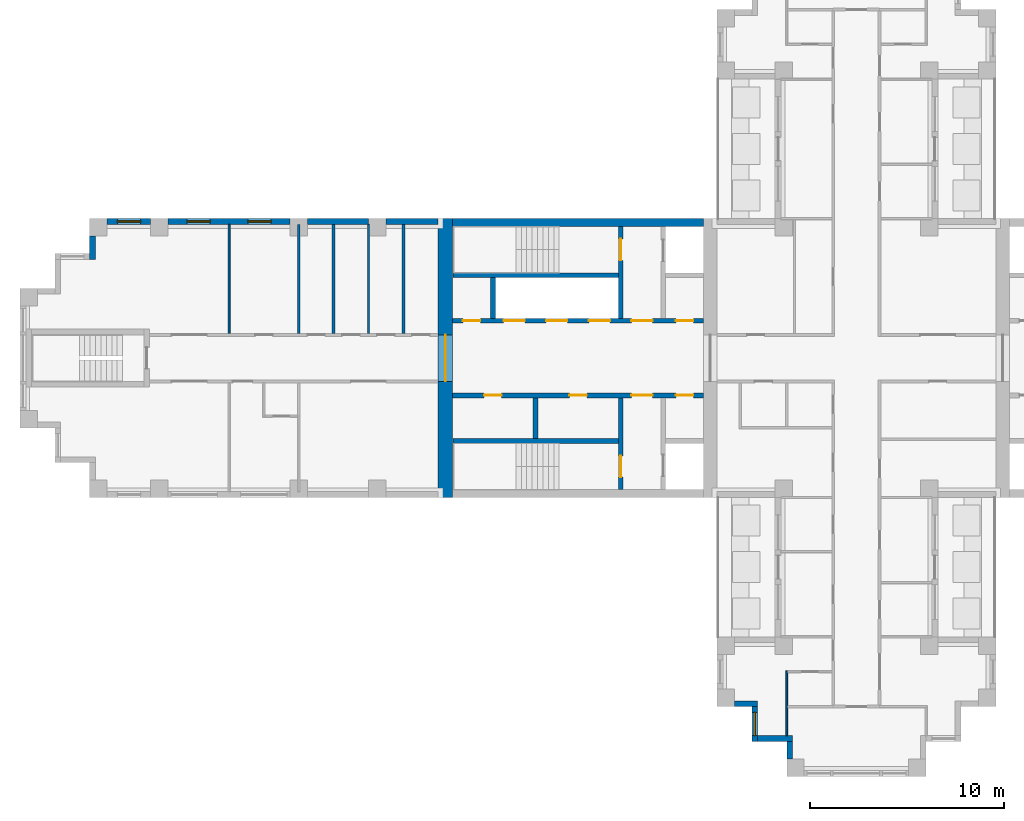
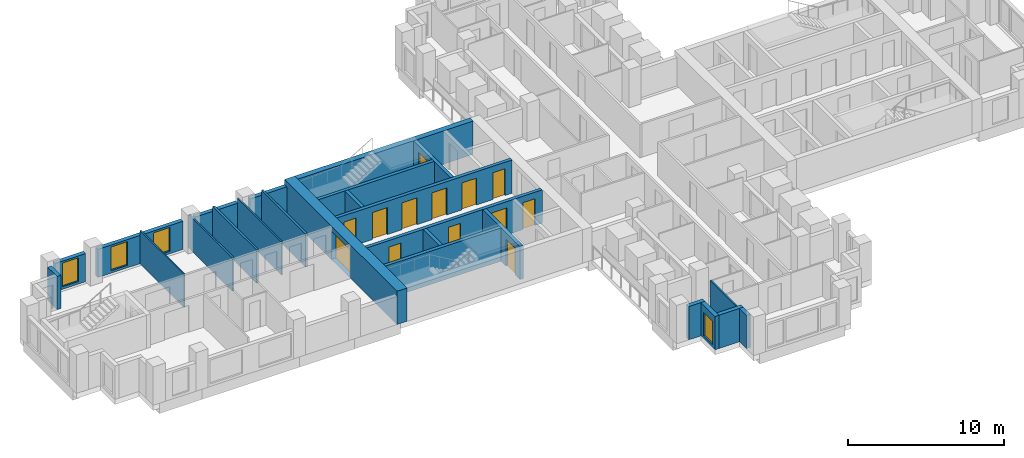
# One storey, part 3 of 11: 25 walls, 13 doors, 4 windows, 17 openings.
"""IFC4 building model written with IfcOpenShell, lengths in metres."""

from ifc_helpers import new_model, si_unit, direction, frame, frame_2d, origin, place, context, subcontext, project, spatial, rectangle, extrude, material, layer, layer_set, type_object, element, fill, save


model = new_model("IFC4")

# Units and contexts
model_context = context("Model", 3, precision=1e-05, world=origin(), true_north=direction((0.0, 1.0)))
body_context = subcontext(model_context, "Body", "Model", "MODEL_VIEW")
ifc_project = project(units=[si_unit("LENGTHUNIT", "METRE"), si_unit("AREAUNIT", "SQUARE_METRE"), si_unit("VOLUMEUNIT", "CUBIC_METRE"), si_unit("PLANEANGLEUNIT", "RADIAN"), si_unit("MASSUNIT", "GRAM", prefix="KILO")], contexts=[model_context])

# Site, building, storey
site_placement = place(None, origin())
site = spatial("IfcSite", under=ifc_project, at=site_placement, CompositionType="ELEMENT")
building_placement = place(site_placement, origin())
building = spatial("IfcBuilding", under=site, at=building_placement, Name="Fustian Cross Tower", CompositionType="ELEMENT")
storey_placement = place(building_placement, frame((0.0, 0.0, 173.699951171875)))
storey = spatial("IfcBuildingStorey", under=building, at=storey_placement, Name="L54", CompositionType="ELEMENT", Elevation=173.699951171875)

# Walls
ifc_material_1 = material(Name="Plasterboard on steel stud", Category="steel")
ifc_layer_1 = layer(ifc_material_1, 0.14990234375)
ifc_layer_set_1 = layer_set([ifc_layer_1], Name="Plasterboard on steel stud")
wall_type_1 = type_object("IfcWallType", Name="COMPARTMENT WALL 150 EI 60", PredefinedType="PARTITIONING", material=ifc_layer_set_1)
for number, where, z_axis, x_axis, name in (
    (1, (-27.0, 1.27490234375, 0.0), (0.0, 0.0, 1.0), (0.0, 1.0, 0.0), "Partition 10"),
    (2, (-23.39990234375, 1.27490234375, 0.0), (0.0, 0.0, 1.0), (0.0, 1.0, 0.0), "Partition 12"),
):
    element("IfcWall", number, at=place(storey_placement, frame(where, z_axis=z_axis, x_axis=x_axis)), inside=storey, type_object=wall_type_1, Name=name, PredefinedType="PARTITIONING", context=body_context, shape_type="SweptSolid", body=[
        extrude(rectangle(XDim=5.625, YDim=0.14990234375, at=frame_2d((2.8125, 0.0))), origin(), (0.0, 0.0, 1.0), 2.60009765625),
    ])

# Wall, opening, door
ifc_material_2 = material(Name="Concrete C50/60", Category="concrete")
ifc_layer_2 = layer(ifc_material_2, 0.75)
ifc_layer_set_2 = layer_set([ifc_layer_2], Name="Concrete C50/60")
wall_type_2 = type_object("IfcWallType", Name="CORE END WALL 750 C50/60", PredefinedType="SHEAR", material=ifc_layer_set_2)
wall_1_placement = place(storey_placement, frame((-21.22509765625, -7.199951171875, 0.0), z_axis=(0.0, 0.0, 1.0), x_axis=(0.0, 1.0, 0.0)))
wall_1 = element("IfcWall", 3, at=wall_1_placement, inside=storey, type_object=wall_type_2, Name="Core end wall", PredefinedType="SHEAR", context=body_context, shape_type="SweptSolid", body=[
    extrude(rectangle(XDim=14.39990234375, YDim=0.75, at=frame_2d((7.199951171875, 0.0))), origin(), (0.0, 0.0, 1.0), 2.60009765625),
])
opening_1_placement = place(wall_1_placement, frame((6.0, 0.0, 0.0)))
opening_1 = element("IfcOpeningElement", 4, at=opening_1_placement, cuts=wall_1, Name="Opening CD-22-29", PredefinedType="OPENING", context=body_context, shape_type="SweptSolid", body=[
    extrude(rectangle(XDim=2.39990234375, YDim=2.199951171875, at=frame_2d((1.199951171875, 1.10009765625))), frame((0.0, 0.385009765625, 0.0), z_axis=(0.0, -1.0, 0.0), x_axis=(1.0, 0.0, 0.0)), (0.0, 0.0, 1.0), 0.77001953125),
])
ifc_material_3 = material(Name="Steel", Category="steel")
door_type_1 = type_object("IfcDoorType", Name="FIRE DOOR FD30S DOUBLE 2400X2200", OperationType="DOUBLE_DOOR_DOUBLE_SWING", PredefinedType="DOOR", material=ifc_material_3)
door_1_placement = place(opening_1_placement, frame((2.39990234375, 0.0, 0.0), z_axis=(0.0, 0.0, 1.0), x_axis=(-1.0, 0.0, 0.0)))
door_1 = element("IfcDoor", 5, at=door_1_placement, inside=storey, type_object=door_type_1, Name="Core door CD-22-29", OperationType="DOUBLE_DOOR_DOUBLE_SWING", OverallHeight=2.199951171875, OverallWidth=2.39990234375, PredefinedType="DOOR", context=body_context, shape_type="SweptSolid", body=[
    extrude(rectangle(XDim=2.39990234375, YDim=2.199951171875, at=frame_2d((1.199951171875, 1.10009765625))), frame((0.0, 0.02490234375, 0.0), z_axis=(0.0, -1.0, 0.0), x_axis=(1.0, 0.0, 0.0)), (0.0, 0.0, 1.0), 0.050048828125),
])
fill(opening_1, door_1)

# Wall
ifc_material_4 = material(Name="Concrete C50/60", Category="concrete")
ifc_layer_3 = layer(ifc_material_4, 0.39990234375)
ifc_layer_set_3 = layer_set([ifc_layer_3], Name="Concrete C50/60")
wall_type_3 = type_object("IfcWallType", Name="CORE FACADE WALL 400 C50/60", PredefinedType="SHEAR", material=ifc_layer_set_3)
wall_2_placement = place(storey_placement, frame((-7.89990234375, 7.0, 0.0), z_axis=(0.0, 0.0, 1.0), x_axis=(-1.0, 0.0, 0.0)))
element("IfcWall", 6, at=wall_2_placement, inside=storey, type_object=wall_type_3, Name="Core facade wall", PredefinedType="SHEAR", context=body_context, shape_type="SweptSolid", body=[
    extrude(rectangle(XDim=12.9501953125, YDim=0.39990234375, at=frame_2d((6.47509765625, 0.0))), origin(), (0.0, 0.0, 1.0), 2.60009765625),
])

# Wall, openings, doors
ifc_material_5 = material(Name="Concrete C50/60", Category="concrete")
ifc_layer_4 = layer(ifc_material_5, 0.25)
ifc_layer_set_4 = layer_set([ifc_layer_4], Name="Concrete C50/60")
wall_type_4 = type_object("IfcWallType", Name="CORE LOBBY WALL 250 C50/60", PredefinedType="SHEAR", material=ifc_layer_set_4)
wall_3_placement = place(storey_placement, frame((-7.89990234375, 1.925048828125, 0.0), z_axis=(0.0, 0.0, 1.0), x_axis=(-1.0, 0.0, 0.0)))
wall_3 = element("IfcWall", 7, at=wall_3_placement, inside=storey, type_object=wall_type_4, Name="Core lobby wall", PredefinedType="SHEAR", context=body_context, shape_type="SweptSolid", body=[
    extrude(rectangle(XDim=12.9501953125, YDim=0.25, at=frame_2d((6.47509765625, 0.0))), origin(), (0.0, 0.0, 1.0), 2.60009765625),
])
opening_2_placement = place(wall_3_placement, frame((4.824951171875, 0.0, 0.0)))
opening_2 = element("IfcOpeningElement", 8, at=opening_2_placement, cuts=wall_3, Name="Opening LD", PredefinedType="OPENING", context=body_context, shape_type="SweptSolid", body=[
    extrude(rectangle(XDim=1.10009765625, YDim=2.10009765625, at=frame_2d((0.550048828125, 1.050048828125))), frame((0.0, 0.135009765625, 0.0), z_axis=(0.0, -1.0, 0.0), x_axis=(1.0, 0.0, 0.0)), (0.0, 0.0, 1.0), 0.27001953125),
])
opening_3_placement = place(wall_3_placement, frame((7.02490234375, 0.0, 0.0)))
opening_3 = element("IfcOpeningElement", 9, at=opening_3_placement, cuts=wall_3, Name="Opening LD", PredefinedType="OPENING", context=body_context, shape_type="SweptSolid", body=[
    extrude(rectangle(XDim=1.10009765625, YDim=2.10009765625, at=frame_2d((0.550048828125, 1.050048828125))), frame((0.0, 0.135009765625, 0.0), z_axis=(0.0, -1.0, 0.0), x_axis=(1.0, 0.0, 0.0)), (0.0, 0.0, 1.0), 0.27001953125),
])
opening_4_placement = place(wall_3_placement, frame((9.22509765625, 0.0, 0.0)))
opening_4 = element("IfcOpeningElement", 10, at=opening_4_placement, cuts=wall_3, Name="Opening LD", PredefinedType="OPENING", context=body_context, shape_type="SweptSolid", body=[
    extrude(rectangle(XDim=1.10009765625, YDim=2.10009765625, at=frame_2d((0.550048828125, 1.050048828125))), frame((0.0, 0.135009765625, 0.0), z_axis=(0.0, -1.0, 0.0), x_axis=(1.0, 0.0, 0.0)), (0.0, 0.0, 1.0), 0.27001953125),
])
opening_5_placement = place(wall_3_placement, frame((0.52490234375, 0.0, 0.0)))
opening_5 = element("IfcOpeningElement", 11, at=opening_5_placement, cuts=wall_3, Name="Opening CD-22-24", PredefinedType="OPENING", context=body_context, shape_type="SweptSolid", body=[
    extrude(rectangle(XDim=0.89990234375, YDim=2.10009765625, at=frame_2d((0.449951171875, 1.050048828125))), frame((0.0, 0.135009765625, 0.0), z_axis=(0.0, -1.0, 0.0), x_axis=(1.0, 0.0, 0.0)), (0.0, 0.0, 1.0), 0.27001953125),
])
opening_6_placement = place(wall_3_placement, frame((2.625, 0.0, 0.0)))
opening_6 = element("IfcOpeningElement", 12, at=opening_6_placement, cuts=wall_3, Name="Opening CD-22-26", PredefinedType="OPENING", context=body_context, shape_type="SweptSolid", body=[
    extrude(rectangle(XDim=1.10009765625, YDim=2.10009765625, at=frame_2d((0.550048828125, 1.050048828125))), frame((0.0, 0.135009765625, 0.0), z_axis=(0.0, -1.0, 0.0), x_axis=(1.0, 0.0, 0.0)), (0.0, 0.0, 1.0), 0.27001953125),
])
opening_7_placement = place(wall_3_placement, frame((11.52490234375, 0.0, 0.0)))
opening_7 = element("IfcOpeningElement", 13, at=opening_7_placement, cuts=wall_3, Name="Opening CD-22-30", PredefinedType="OPENING", context=body_context, shape_type="SweptSolid", body=[
    extrude(rectangle(XDim=0.89990234375, YDim=2.10009765625, at=frame_2d((0.449951171875, 1.050048828125))), frame((0.0, 0.135009765625, 0.0), z_axis=(0.0, -1.0, 0.0), x_axis=(1.0, 0.0, 0.0)), (0.0, 0.0, 1.0), 0.27001953125),
])
ifc_material_6 = material(Name="Steel", Category="steel")
door_type_2 = type_object("IfcDoorType", Name="FIRE DOOR FD30S 900X2100", OperationType="SINGLE_SWING_LEFT", PredefinedType="DOOR", material=ifc_material_6)
door_2_placement = place(opening_7_placement, frame((0.89990234375, 0.0, 0.0), z_axis=(0.0, 0.0, 1.0), x_axis=(-1.0, 0.0, 0.0)))
door_2 = element("IfcDoor", 14, at=door_2_placement, inside=storey, type_object=door_type_2, Name="Core door CD-22-30", OperationType="SINGLE_SWING_RIGHT", OverallHeight=2.10009765625, OverallWidth=0.89990234375, PredefinedType="DOOR", context=body_context, shape_type="SweptSolid", body=[
    extrude(rectangle(XDim=0.89990234375, YDim=2.10009765625, at=frame_2d((0.449951171875, 1.050048828125))), frame((0.0, 0.02490234375, 0.0), z_axis=(0.0, -1.0, 0.0), x_axis=(1.0, 0.0, 0.0)), (0.0, 0.0, 1.0), 0.050048828125),
])
fill(opening_7, door_2)
ifc_material_7 = material(Name="Steel", Category="steel")
door_type_3 = type_object("IfcDoorType", Name="FIRE DOOR FD60S 1100X2100", OperationType="SINGLE_SWING_LEFT", PredefinedType="DOOR", material=ifc_material_7)
door_3_placement = place(opening_6_placement, frame((1.10009765625, 0.0, 0.0), z_axis=(0.0, 0.0, 1.0), x_axis=(-1.0, 0.0, 0.0)))
door_3 = element("IfcDoor", 15, at=door_3_placement, inside=storey, type_object=door_type_3, Name="Core door CD-22-26", OperationType="SINGLE_SWING_RIGHT", OverallHeight=2.10009765625, OverallWidth=1.10009765625, PredefinedType="DOOR", context=body_context, shape_type="SweptSolid", body=[
    extrude(rectangle(XDim=1.10009765625, YDim=2.10009765625, at=frame_2d((0.550048828125, 1.050048828125))), frame((0.0, 0.02490234375, 0.0), z_axis=(0.0, -1.0, 0.0), x_axis=(1.0, 0.0, 0.0)), (0.0, 0.0, 1.0), 0.050048828125),
])
fill(opening_6, door_3)
ifc_material_8 = material(Name="Steel", Category="steel")
door_type_4 = type_object("IfcDoorType", Name="FIRE DOOR FD60S 900X2100", OperationType="SINGLE_SWING_LEFT", PredefinedType="DOOR", material=ifc_material_8)
door_4_placement = place(opening_5_placement, frame((0.89990234375, 0.0, 0.0), z_axis=(0.0, 0.0, 1.0), x_axis=(-1.0, 0.0, 0.0)))
door_4 = element("IfcDoor", 16, at=door_4_placement, inside=storey, type_object=door_type_4, Name="Core door CD-22-24", OperationType="SINGLE_SWING_RIGHT", OverallHeight=2.10009765625, OverallWidth=0.89990234375, PredefinedType="DOOR", context=body_context, shape_type="SweptSolid", body=[
    extrude(rectangle(XDim=0.89990234375, YDim=2.10009765625, at=frame_2d((0.449951171875, 1.050048828125))), frame((0.0, 0.02490234375, 0.0), z_axis=(0.0, -1.0, 0.0), x_axis=(1.0, 0.0, 0.0)), (0.0, 0.0, 1.0), 0.050048828125),
])
fill(opening_5, door_4)
ifc_material_9 = material(Name="Stainless steel", Category="steel")
door_type_5 = type_object("IfcDoorType", Name="LIFT LANDING DOOR 1100X2100", OperationType="SLIDING_TO_LEFT", PredefinedType="DOOR", material=ifc_material_9)
door_5_placement = place(opening_2_placement, origin())
door_5 = element("IfcDoor", 17, at=door_5_placement, inside=storey, type_object=door_type_5, Name="Landing door HR1W", OperationType="SLIDING_TO_LEFT", OverallHeight=2.10009765625, OverallWidth=1.10009765625, PredefinedType="DOOR", context=body_context, shape_type="SweptSolid", body=[
    extrude(rectangle(XDim=1.10009765625, YDim=2.10009765625, at=frame_2d((0.550048828125, 1.050048828125))), frame((0.0, 0.02490234375, 0.0), z_axis=(0.0, -1.0, 0.0), x_axis=(1.0, 0.0, 0.0)), (0.0, 0.0, 1.0), 0.050048828125),
])
fill(opening_2, door_5)
door_6_placement = place(opening_3_placement, origin())
door_6 = element("IfcDoor", 18, at=door_6_placement, inside=storey, type_object=door_type_5, Name="Landing door HR2W", OperationType="SLIDING_TO_LEFT", OverallHeight=2.10009765625, OverallWidth=1.10009765625, PredefinedType="DOOR", context=body_context, shape_type="SweptSolid", body=[
    extrude(rectangle(XDim=1.10009765625, YDim=2.10009765625, at=frame_2d((0.550048828125, 1.050048828125))), frame((0.0, 0.02490234375, 0.0), z_axis=(0.0, -1.0, 0.0), x_axis=(1.0, 0.0, 0.0)), (0.0, 0.0, 1.0), 0.050048828125),
])
fill(opening_3, door_6)
door_7_placement = place(opening_4_placement, origin())
door_7 = element("IfcDoor", 19, at=door_7_placement, inside=storey, type_object=door_type_5, Name="Landing door HR3W", OperationType="SLIDING_TO_LEFT", OverallHeight=2.10009765625, OverallWidth=1.10009765625, PredefinedType="DOOR", context=body_context, shape_type="SweptSolid", body=[
    extrude(rectangle(XDim=1.10009765625, YDim=2.10009765625, at=frame_2d((0.550048828125, 1.050048828125))), frame((0.0, 0.02490234375, 0.0), z_axis=(0.0, -1.0, 0.0), x_axis=(1.0, 0.0, 0.0)), (0.0, 0.0, 1.0), 0.050048828125),
])
fill(opening_4, door_7)

wall_4_placement = place(storey_placement, frame((-7.89990234375, -1.925048828125, 0.0), z_axis=(0.0, 0.0, 1.0), x_axis=(-1.0, 0.0, 0.0)))
wall_4 = element("IfcWall", 20, at=wall_4_placement, inside=storey, type_object=wall_type_4, Name="Core lobby wall", PredefinedType="SHEAR", context=body_context, shape_type="SweptSolid", body=[
    extrude(rectangle(XDim=12.9501953125, YDim=0.25, at=frame_2d((6.47509765625, 0.0))), origin(), (0.0, 0.0, 1.0), 2.60009765625),
])
opening_8_placement = place(wall_4_placement, frame((0.52490234375, 0.0, 0.0)))
opening_8 = element("IfcOpeningElement", 21, at=opening_8_placement, cuts=wall_4, Name="Opening CD-22-25", PredefinedType="OPENING", context=body_context, shape_type="SweptSolid", body=[
    extrude(rectangle(XDim=0.89990234375, YDim=2.10009765625, at=frame_2d((0.449951171875, 1.050048828125))), frame((0.0, 0.135009765625, 0.0), z_axis=(0.0, -1.0, 0.0), x_axis=(1.0, 0.0, 0.0)), (0.0, 0.0, 1.0), 0.27001953125),
])
opening_9_placement = place(wall_4_placement, frame((2.625, 0.0, 0.0)))
opening_9 = element("IfcOpeningElement", 22, at=opening_9_placement, cuts=wall_4, Name="Opening CD-22-27", PredefinedType="OPENING", context=body_context, shape_type="SweptSolid", body=[
    extrude(rectangle(XDim=1.10009765625, YDim=2.10009765625, at=frame_2d((0.550048828125, 1.050048828125))), frame((0.0, 0.135009765625, 0.0), z_axis=(0.0, -1.0, 0.0), x_axis=(1.0, 0.0, 0.0)), (0.0, 0.0, 1.0), 0.27001953125),
])
opening_10_placement = place(wall_4_placement, frame((6.02490234375, 0.0, 0.0)))
opening_10 = element("IfcOpeningElement", 23, at=opening_10_placement, cuts=wall_4, Name="Opening CD-22-31", PredefinedType="OPENING", context=body_context, shape_type="SweptSolid", body=[
    extrude(rectangle(XDim=0.89990234375, YDim=2.10009765625, at=frame_2d((0.449951171875, 1.050048828125))), frame((0.0, 0.135009765625, 0.0), z_axis=(0.0, -1.0, 0.0), x_axis=(1.0, 0.0, 0.0)), (0.0, 0.0, 1.0), 0.27001953125),
])
opening_11_placement = place(wall_4_placement, frame((10.425048828125, 0.0, 0.0)))
opening_11 = element("IfcOpeningElement", 24, at=opening_11_placement, cuts=wall_4, Name="Opening CD-22-32", PredefinedType="OPENING", context=body_context, shape_type="SweptSolid", body=[
    extrude(rectangle(XDim=0.89990234375, YDim=2.10009765625, at=frame_2d((0.449951171875, 1.050048828125))), frame((0.0, 0.135009765625, 0.0), z_axis=(0.0, -1.0, 0.0), x_axis=(1.0, 0.0, 0.0)), (0.0, 0.0, 1.0), 0.27001953125),
])
ifc_material_10 = material(Name="Steel", Category="steel")
door_type_6 = type_object("IfcDoorType", Name="FIRE DOOR FD30S 1100X2100", OperationType="SINGLE_SWING_LEFT", PredefinedType="DOOR", material=ifc_material_10)
door_8_placement = place(opening_9_placement, frame((1.10009765625, 0.0, 0.0), z_axis=(0.0, 0.0, 1.0), x_axis=(-1.0, 0.0, 0.0)))
door_8 = element("IfcDoor", 25, at=door_8_placement, inside=storey, type_object=door_type_6, Name="Core door CD-22-27", OperationType="SINGLE_SWING_RIGHT", OverallHeight=2.10009765625, OverallWidth=1.10009765625, PredefinedType="DOOR", context=body_context, shape_type="SweptSolid", body=[
    extrude(rectangle(XDim=1.10009765625, YDim=2.10009765625, at=frame_2d((0.550048828125, 1.050048828125))), frame((0.0, 0.02490234375, 0.0), z_axis=(0.0, -1.0, 0.0), x_axis=(1.0, 0.0, 0.0)), (0.0, 0.0, 1.0), 0.050048828125),
])
fill(opening_9, door_8)
door_9_placement = place(opening_8_placement, origin())
door_9 = element("IfcDoor", 26, at=door_9_placement, inside=storey, type_object=door_type_2, Name="Core door CD-22-25", OperationType="SINGLE_SWING_LEFT", OverallHeight=2.10009765625, OverallWidth=0.89990234375, PredefinedType="DOOR", context=body_context, shape_type="SweptSolid", body=[
    extrude(rectangle(XDim=0.89990234375, YDim=2.10009765625, at=frame_2d((0.449951171875, 1.050048828125))), frame((0.0, 0.02490234375, 0.0), z_axis=(0.0, -1.0, 0.0), x_axis=(1.0, 0.0, 0.0)), (0.0, 0.0, 1.0), 0.050048828125),
])
fill(opening_8, door_9)
door_10_placement = place(opening_10_placement, origin())
door_10 = element("IfcDoor", 27, at=door_10_placement, inside=storey, type_object=door_type_2, Name="Core door CD-22-31", OperationType="SINGLE_SWING_RIGHT", OverallHeight=2.10009765625, OverallWidth=0.89990234375, PredefinedType="DOOR", context=body_context, shape_type="SweptSolid", body=[
    extrude(rectangle(XDim=0.89990234375, YDim=2.10009765625, at=frame_2d((0.449951171875, 1.050048828125))), frame((0.0, 0.02490234375, 0.0), z_axis=(0.0, -1.0, 0.0), x_axis=(1.0, 0.0, 0.0)), (0.0, 0.0, 1.0), 0.050048828125),
])
fill(opening_10, door_10)
door_11_placement = place(opening_11_placement, origin())
door_11 = element("IfcDoor", 28, at=door_11_placement, inside=storey, type_object=door_type_2, Name="Core door CD-22-32", OperationType="SINGLE_SWING_RIGHT", OverallHeight=2.10009765625, OverallWidth=0.89990234375, PredefinedType="DOOR", context=body_context, shape_type="SweptSolid", body=[
    extrude(rectangle(XDim=0.89990234375, YDim=2.10009765625, at=frame_2d((0.449951171875, 1.050048828125))), frame((0.0, 0.02490234375, 0.0), z_axis=(0.0, -1.0, 0.0), x_axis=(1.0, 0.0, 0.0)), (0.0, 0.0, 1.0), 0.050048828125),
])
fill(opening_11, door_11)

# Wall
ifc_material_11 = material(Name="Concrete C50/60", Category="concrete")
ifc_layer_5 = layer(ifc_material_11, 0.25)
ifc_layer_set_5 = layer_set([ifc_layer_5], Name="Concrete C50/60")
wall_type_5 = type_object("IfcWallType", Name="CORE SHAFT WALL 250 C50/60", PredefinedType="SHEAR", material=ifc_layer_set_5)
wall_5_placement = place(storey_placement, frame((-12.300048828125, 4.27490234375, 0.0), z_axis=(0.0, 0.0, 1.0), x_axis=(-1.0, 0.0, 0.0)))
element("IfcWall", 29, at=wall_5_placement, inside=storey, type_object=wall_type_5, Name="Core shaft wall", PredefinedType="SHEAR", context=body_context, shape_type="SweptSolid", body=[
    extrude(rectangle(XDim=8.550048828125, YDim=0.25, at=frame_2d((4.27490234375, 0.0))), origin(), (0.0, 0.0, 1.0), 2.60009765625),
])

# Wall, opening, door
wall_6_placement = place(storey_placement, frame((-12.175048828125, 2.050048828125, 0.0), z_axis=(0.0, 0.0, 1.0), x_axis=(0.0, 1.0, 0.0)))
wall_6 = element("IfcWall", 30, at=wall_6_placement, inside=storey, type_object=wall_type_5, Name="Core shaft wall", PredefinedType="SHEAR", context=body_context, shape_type="SweptSolid", body=[
    extrude(rectangle(XDim=4.75, YDim=0.25, at=frame_2d((2.375, 0.0))), origin(), (0.0, 0.0, 1.0), 2.60009765625),
])
opening_12_placement = place(wall_6_placement, frame((3.0, 0.0, 0.0)))
opening_12 = element("IfcOpeningElement", 31, at=opening_12_placement, cuts=wall_6, Name="Opening CD-22-22", PredefinedType="OPENING", context=body_context, shape_type="SweptSolid", body=[
    extrude(rectangle(XDim=1.10009765625, YDim=2.10009765625, at=frame_2d((0.550048828125, 1.050048828125))), frame((0.0, 0.135009765625, 0.0), z_axis=(0.0, -1.0, 0.0), x_axis=(1.0, 0.0, 0.0)), (0.0, 0.0, 1.0), 0.27001953125),
])
door_12_placement = place(opening_12_placement, origin())
door_12 = element("IfcDoor", 32, at=door_12_placement, inside=storey, type_object=door_type_3, Name="Core door CD-22-22", OperationType="SINGLE_SWING_LEFT", OverallHeight=2.10009765625, OverallWidth=1.10009765625, PredefinedType="DOOR", context=body_context, shape_type="SweptSolid", body=[
    extrude(rectangle(XDim=1.10009765625, YDim=2.10009765625, at=frame_2d((0.550048828125, 1.050048828125))), frame((0.0, 0.02490234375, 0.0), z_axis=(0.0, -1.0, 0.0), x_axis=(1.0, 0.0, 0.0)), (0.0, 0.0, 1.0), 0.050048828125),
])
fill(opening_12, door_12)

# Wall
wall_7_placement = place(storey_placement, frame((-12.300048828125, -4.27490234375, 0.0), z_axis=(0.0, 0.0, 1.0), x_axis=(-1.0, 0.0, 0.0)))
element("IfcWall", 33, at=wall_7_placement, inside=storey, type_object=wall_type_5, Name="Core shaft wall", PredefinedType="SHEAR", context=body_context, shape_type="SweptSolid", body=[
    extrude(rectangle(XDim=8.550048828125, YDim=0.25, at=frame_2d((4.27490234375, 0.0))), origin(), (0.0, 0.0, 1.0), 2.60009765625),
])

# Wall, opening, door
wall_8_placement = place(storey_placement, frame((-12.175048828125, -2.050048828125, 0.0), z_axis=(0.0, 0.0, 1.0), x_axis=(0.0, -1.0, 0.0)))
wall_8 = element("IfcWall", 34, at=wall_8_placement, inside=storey, type_object=wall_type_5, Name="Core shaft wall", PredefinedType="SHEAR", context=body_context, shape_type="SweptSolid", body=[
    extrude(rectangle(XDim=4.75, YDim=0.25, at=frame_2d((2.375, 0.0))), origin(), (0.0, 0.0, 1.0), 2.60009765625),
])
opening_13_placement = place(wall_8_placement, frame((3.0, 0.0, 0.0)))
opening_13 = element("IfcOpeningElement", 35, at=opening_13_placement, cuts=wall_8, Name="Opening CD-22-23", PredefinedType="OPENING", context=body_context, shape_type="SweptSolid", body=[
    extrude(rectangle(XDim=1.10009765625, YDim=2.10009765625, at=frame_2d((0.550048828125, 1.050048828125))), frame((0.0, 0.135009765625, 0.0), z_axis=(0.0, -1.0, 0.0), x_axis=(1.0, 0.0, 0.0)), (0.0, 0.0, 1.0), 0.27001953125),
])
door_13_placement = place(opening_13_placement, frame((1.10009765625, 0.0, 0.0), z_axis=(0.0, 0.0, 1.0), x_axis=(-1.0, 0.0, 0.0)))
door_13 = element("IfcDoor", 36, at=door_13_placement, inside=storey, type_object=door_type_3, Name="Core door CD-22-23", OperationType="SINGLE_SWING_RIGHT", OverallHeight=2.10009765625, OverallWidth=1.10009765625, PredefinedType="DOOR", context=body_context, shape_type="SweptSolid", body=[
    extrude(rectangle(XDim=1.10009765625, YDim=2.10009765625, at=frame_2d((0.550048828125, 1.050048828125))), frame((0.0, 0.02490234375, 0.0), z_axis=(0.0, -1.0, 0.0), x_axis=(1.0, 0.0, 0.0)), (0.0, 0.0, 1.0), 0.050048828125),
])
fill(opening_13, door_13)

# Walls
ifc_material_12 = material(Name="Plasterboard on steel stud", Category="steel")
ifc_layer_6 = layer(ifc_material_12, 0.10009765625)
ifc_layer_set_6 = layer_set([ifc_layer_6], Name="Plasterboard on steel stud")
wall_type_6 = type_object("IfcWallType", Name="PARTITION 100 STUD", PredefinedType="PARTITIONING", material=ifc_layer_set_6)
for number, where, z_axis, x_axis, name in (
    (37, (-32.39990234375, 1.27490234375, 0.0), (0.0, 0.0, 1.0), (0.0, 1.0, 0.0), "Partition 4"),
    (38, (-25.199951171875, 1.27490234375, 0.0), (0.0, 0.0, 1.0), (0.0, 1.0, 0.0), "Partition 11"),
):
    element("IfcWall", number, at=place(storey_placement, frame(where, z_axis=z_axis, x_axis=x_axis)), inside=storey, type_object=wall_type_6, Name=name, PredefinedType="PARTITIONING", context=body_context, shape_type="SweptSolid", body=[
        extrude(rectangle(XDim=5.625, YDim=0.10009765625, at=frame_2d((2.8125, 0.0))), origin(), (0.0, 0.0, 1.0), 2.60009765625),
    ])
wall_9_placement = place(storey_placement, frame((-3.60009765625, -19.5, 0.0), z_axis=(0.0, 0.0, 1.0), x_axis=(0.0, 1.0, 0.0)))
element("IfcWall", 39, at=wall_9_placement, inside=storey, type_object=wall_type_6, Name="Partition 22", PredefinedType="PARTITIONING", context=body_context, shape_type="SweptSolid", body=[
    extrude(rectangle(XDim=3.35009765625, YDim=0.10009765625, at=frame_2d((1.675048828125, 0.0))), origin(), (0.0, 0.0, 1.0), 2.60009765625),
])
ifc_material_13 = material(Name="Concrete C40/50", Category="concrete")
ifc_layer_7 = layer(ifc_material_13, 0.25)
ifc_layer_set_7 = layer_set([ifc_layer_7], Name="Concrete C40/50")
wall_type_7 = type_object("IfcWallType", Name="SHAFT PARTITION WALL 250 C40/50", PredefinedType="PARTITIONING", material=ifc_layer_set_7)
for number, where, z_axis, x_axis, name in (
    (40, (-18.77490234375, 2.050048828125, 0.0), (0.0, 0.0, 1.0), (0.0, 1.0, 0.0), "Core shaft wall"),
    (41, (-16.574951171875, -2.050048828125, 0.0), (0.0, 0.0, 1.0), (0.0, -1.0, 0.0), "Core shaft wall"),
):
    element("IfcWall", number, at=place(storey_placement, frame(where, z_axis=z_axis, x_axis=x_axis)), inside=storey, type_object=wall_type_7, Name=name, PredefinedType="PARTITIONING", context=body_context, shape_type="SweptSolid", body=[
        extrude(rectangle(XDim=2.099853515625, YDim=0.25, at=frame_2d((1.0498046875, 0.0))), origin(), (0.0, 0.0, 1.0), 2.60009765625),
    ])
ifc_material_14 = material(Name="Plasterboard on steel stud", Category="steel")
ifc_layer_8 = layer(ifc_material_14, 0.125)
ifc_layer_set_8 = layer_set([ifc_layer_8], Name="Plasterboard on steel stud")
wall_type_8 = type_object("IfcWallType", Name="WET WALL 125 STUD", PredefinedType="PARTITIONING", material=ifc_layer_set_8)
wall_10_placement = place(storey_placement, frame((-28.800048828125, 1.27490234375, 0.0), z_axis=(0.0, 0.0, 1.0), x_axis=(0.0, 1.0, 0.0)))
element("IfcWall", 42, at=wall_10_placement, inside=storey, type_object=wall_type_8, Name="Partition 9", PredefinedType="PARTITIONING", context=body_context, shape_type="SweptSolid", body=[
    extrude(rectangle(XDim=5.625, YDim=0.125, at=frame_2d((2.8125, 0.0))), origin(), (0.0, 0.0, 1.0), 2.60009765625),
])
ifc_material_15 = material(Name="Dark aluminium cladding on insulated backing wall", Category="aluminium")
ifc_layer_9 = layer(ifc_material_15, 0.300048828125)
ifc_layer_set_9 = layer_set([ifc_layer_9], Name="Dark aluminium cladding on insulated backing wall")
wall_type_9 = type_object("IfcWallType", Name="XW1 EXTERNAL WALL 300", PredefinedType="SOLIDWALL", material=ifc_layer_set_9)
wall_11_placement = place(storey_placement, frame((-21.60009765625, 7.050048828125, 0.0), z_axis=(0.0, 0.0, 1.0), x_axis=(-1.0, 0.0, 0.0)))
element("IfcWall", 43, at=wall_11_placement, inside=storey, type_object=wall_type_9, Name="External wall", PredefinedType="SOLIDWALL", context=body_context, shape_type="SweptSolid", body=[
    extrude(rectangle(XDim=2.699951171875, YDim=0.300048828125, at=frame_2d((1.35009765625, 0.0))), origin(), (0.0, 0.0, 1.0), 2.199951171875),
])
wall_12_placement = place(storey_placement, frame((-25.199951171875, 7.050048828125, 0.0), z_axis=(0.0, 0.0, 1.0), x_axis=(-1.0, 0.0, 0.0)))
element("IfcWall", 44, at=wall_12_placement, inside=storey, type_object=wall_type_9, Name="External wall", PredefinedType="SOLIDWALL", context=body_context, shape_type="SweptSolid", body=[
    extrude(rectangle(XDim=3.150146484375, YDim=0.300048828125, at=frame_2d((1.5751953125, 0.0))), origin(), (0.0, 0.0, 1.0), 2.199951171875),
])

# Wall, openings, windows
wall_13_placement = place(storey_placement, frame((-29.25, 7.050048828125, 0.0), z_axis=(0.0, 0.0, 1.0), x_axis=(-1.0, 0.0, 0.0)))
wall_13 = element("IfcWall", 45, at=wall_13_placement, inside=storey, type_object=wall_type_9, Name="External wall", PredefinedType="SOLIDWALL", context=body_context, shape_type="SweptSolid", body=[
    extrude(rectangle(XDim=6.300048828125, YDim=0.300048828125, at=frame_2d((3.14990234375, 0.0))), origin(), (0.0, 0.0, 1.0), 2.199951171875),
])
opening_14_placement = place(wall_13_placement, frame((0.97509765625, 0.0, 0.199951171875)))
opening_14 = element("IfcOpeningElement", 46, at=opening_14_placement, cuts=wall_13, Name="Opening WN3", PredefinedType="OPENING", context=body_context, shape_type="SweptSolid", body=[
    extrude(rectangle(XDim=1.199951171875, YDim=1.85009765625, at=frame_2d((0.60009765625, 0.925048828125))), frame((0.0, 0.159912109375, 0.0), z_axis=(0.0, -1.0, 0.0), x_axis=(1.0, 0.0, 0.0)), (0.0, 0.0, 1.0), 0.320068359375),
])
opening_15_placement = place(wall_13_placement, frame((4.125, 0.0, 0.199951171875)))
opening_15 = element("IfcOpeningElement", 47, at=opening_15_placement, cuts=wall_13, Name="Opening WN3", PredefinedType="OPENING", context=body_context, shape_type="SweptSolid", body=[
    extrude(rectangle(XDim=1.199951171875, YDim=1.85009765625, at=frame_2d((0.60009765625, 0.925048828125))), frame((0.0, 0.159912109375, 0.0), z_axis=(0.0, -1.0, 0.0), x_axis=(1.0, 0.0, 0.0)), (0.0, 0.0, 1.0), 0.320068359375),
])
ifc_material_16 = material(Name="Dark anodised aluminium and double glazing", Category="aluminium")
window_type = type_object("IfcWindowType", Name="WN3 WINDOW 1200X1850", PartitioningType="SINGLE_PANEL", PredefinedType="WINDOW", material=ifc_material_16)
window_1_placement = place(opening_14_placement, origin())
window_1 = element("IfcWindow", 48, at=window_1_placement, inside=storey, type_object=window_type, Name="Window", OverallHeight=1.85009765625, OverallWidth=1.199951171875, PartitioningType="SINGLE_PANEL", PredefinedType="WINDOW", context=body_context, shape_type="SweptSolid", body=[
    extrude(rectangle(XDim=1.199951171875, YDim=1.85009765625, at=frame_2d((0.60009765625, 0.925048828125))), frame((0.0, 0.030029296875, 0.0), z_axis=(0.0, -1.0, 0.0), x_axis=(1.0, 0.0, 0.0)), (0.0, 0.0, 1.0), 0.06005859375),
])
fill(opening_14, window_1)
window_2_placement = place(opening_15_placement, origin())
window_2 = element("IfcWindow", 49, at=window_2_placement, inside=storey, type_object=window_type, Name="Window", OverallHeight=1.85009765625, OverallWidth=1.199951171875, PartitioningType="SINGLE_PANEL", PredefinedType="WINDOW", context=body_context, shape_type="SweptSolid", body=[
    extrude(rectangle(XDim=1.199951171875, YDim=1.85009765625, at=frame_2d((0.60009765625, 0.925048828125))), frame((0.0, 0.030029296875, 0.0), z_axis=(0.0, -1.0, 0.0), x_axis=(1.0, 0.0, 0.0)), (0.0, 0.0, 1.0), 0.06005859375),
])
fill(opening_15, window_2)

# Wall, opening, window
wall_14_placement = place(storey_placement, frame((-36.449951171875, 7.050048828125, 0.0), z_axis=(0.0, 0.0, 1.0), x_axis=(-1.0, 0.0, 0.0)))
wall_14 = element("IfcWall", 50, at=wall_14_placement, inside=storey, type_object=wall_type_9, Name="External wall", PredefinedType="SOLIDWALL", context=body_context, shape_type="SweptSolid", body=[
    extrude(rectangle(XDim=2.25, YDim=0.300048828125, at=frame_2d((1.125, 0.0))), origin(), (0.0, 0.0, 1.0), 2.199951171875),
])
opening_16_placement = place(wall_14_placement, frame((0.52490234375, 0.0, 0.199951171875)))
opening_16 = element("IfcOpeningElement", 51, at=opening_16_placement, cuts=wall_14, Name="Opening WN3", PredefinedType="OPENING", context=body_context, shape_type="SweptSolid", body=[
    extrude(rectangle(XDim=1.199951171875, YDim=1.85009765625, at=frame_2d((0.60009765625, 0.925048828125))), frame((0.0, 0.159912109375, 0.0), z_axis=(0.0, -1.0, 0.0), x_axis=(1.0, 0.0, 0.0)), (0.0, 0.0, 1.0), 0.320068359375),
])
window_3_placement = place(opening_16_placement, origin())
window_3 = element("IfcWindow", 52, at=window_3_placement, inside=storey, type_object=window_type, Name="Window", OverallHeight=1.85009765625, OverallWidth=1.199951171875, PartitioningType="SINGLE_PANEL", PredefinedType="WINDOW", context=body_context, shape_type="SweptSolid", body=[
    extrude(rectangle(XDim=1.199951171875, YDim=1.85009765625, at=frame_2d((0.60009765625, 0.925048828125))), frame((0.0, 0.030029296875, 0.0), z_axis=(0.0, -1.0, 0.0), x_axis=(1.0, 0.0, 0.0)), (0.0, 0.0, 1.0), 0.06005859375),
])
fill(opening_16, window_3)

# Walls
for number, where, z_axis, x_axis, name in (
    (53, (-39.449951171875, 6.300048828125, 0.0), (0.0, 0.0, 1.0), (0.0, -1.0, 0.0), "External wall"),
    (54, (-6.300048828125, -17.85009765625, 0.0), (0.0, 0.0, 1.0), (1.0, 0.0, 0.0), "External wall"),
):
    element("IfcWall", number, at=place(storey_placement, frame(where, z_axis=z_axis, x_axis=x_axis)), inside=storey, type_object=wall_type_9, Name=name, PredefinedType="SOLIDWALL", context=body_context, shape_type="SweptSolid", body=[
        extrude(rectangle(XDim=1.199951171875, YDim=0.300048828125, at=frame_2d((0.60009765625, 0.0))), origin(), (0.0, 0.0, 1.0), 2.60009765625),
    ])

# Wall, opening, window
wall_15_placement = place(storey_placement, frame((-5.25, -18.0, 0.0), z_axis=(0.0, 0.0, 1.0), x_axis=(0.0, -1.0, 0.0)))
wall_15 = element("IfcWall", 55, at=wall_15_placement, inside=storey, type_object=wall_type_9, Name="External wall", PredefinedType="SOLIDWALL", context=body_context, shape_type="SweptSolid", body=[
    extrude(rectangle(XDim=1.800048828125, YDim=0.300048828125, at=frame_2d((0.89990234375, 0.0))), origin(), (0.0, 0.0, 1.0), 2.60009765625),
])
opening_17_placement = place(wall_15_placement, frame((0.300048828125, 0.0, 0.199951171875)))
opening_17 = element("IfcOpeningElement", 56, at=opening_17_placement, cuts=wall_15, Name="Opening WN3", PredefinedType="OPENING", context=body_context, shape_type="SweptSolid", body=[
    extrude(rectangle(XDim=1.199951171875, YDim=1.85009765625, at=frame_2d((0.60009765625, 0.925048828125))), frame((0.0, 0.159912109375, 0.0), z_axis=(0.0, -1.0, 0.0), x_axis=(1.0, 0.0, 0.0)), (0.0, 0.0, 1.0), 0.320068359375),
])
window_4_placement = place(opening_17_placement, origin())
window_4 = element("IfcWindow", 57, at=window_4_placement, inside=storey, type_object=window_type, Name="Window", OverallHeight=1.85009765625, OverallWidth=1.199951171875, PartitioningType="SINGLE_PANEL", PredefinedType="WINDOW", context=body_context, shape_type="SweptSolid", body=[
    extrude(rectangle(XDim=1.199951171875, YDim=1.85009765625, at=frame_2d((0.60009765625, 0.925048828125))), frame((0.0, 0.030029296875, 0.0), z_axis=(0.0, -1.0, 0.0), x_axis=(1.0, 0.0, 0.0)), (0.0, 0.0, 1.0), 0.06005859375),
])
fill(opening_17, window_4)

# Walls
wall_16_placement = place(storey_placement, frame((-5.10009765625, -19.64990234375, 0.0), z_axis=(0.0, 0.0, 1.0), x_axis=(1.0, 0.0, 0.0)))
element("IfcWall", 58, at=wall_16_placement, inside=storey, type_object=wall_type_9, Name="External wall", PredefinedType="SOLIDWALL", context=body_context, shape_type="SweptSolid", body=[
    extrude(rectangle(XDim=1.800048828125, YDim=0.300048828125, at=frame_2d((0.89990234375, 0.0))), origin(), (0.0, 0.0, 1.0), 2.60009765625),
])
wall_17_placement = place(storey_placement, frame((-3.449951171875, -19.800048828125, 0.0), z_axis=(0.0, 0.0, 1.0), x_axis=(0.0, -1.0, 0.0)))
element("IfcWall", 59, at=wall_17_placement, inside=storey, type_object=wall_type_9, Name="External wall", PredefinedType="SOLIDWALL", context=body_context, shape_type="SweptSolid", body=[
    extrude(rectangle(XDim=0.89990234375, YDim=0.300048828125, at=frame_2d((0.449951171875, 0.0))), origin(), (0.0, 0.0, 1.0), 2.60009765625),
])

save(model, "model.ifc")
